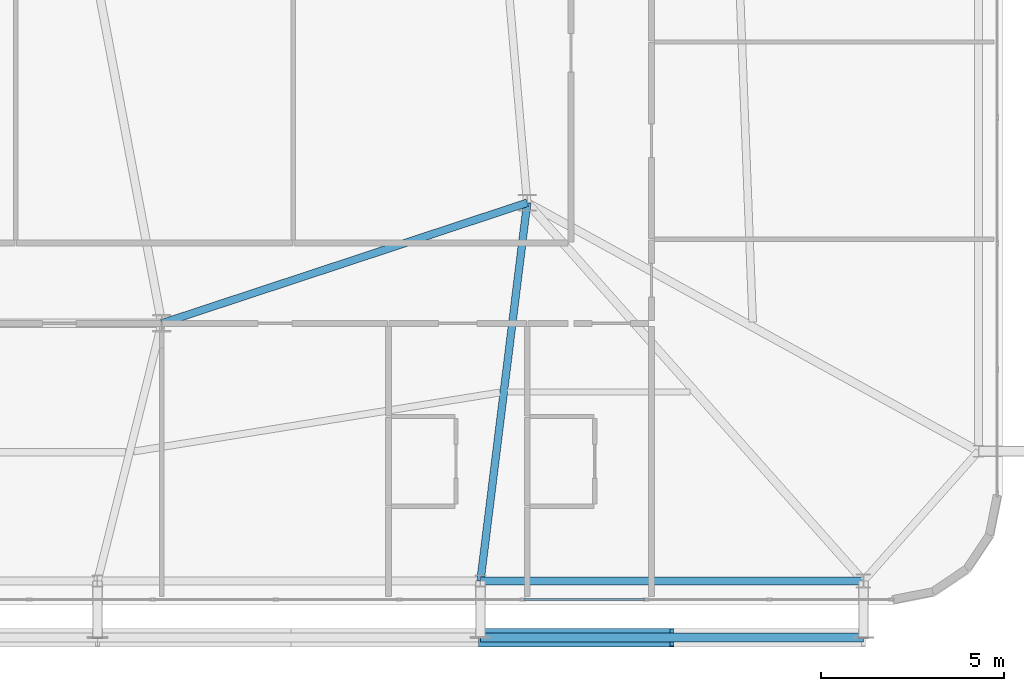
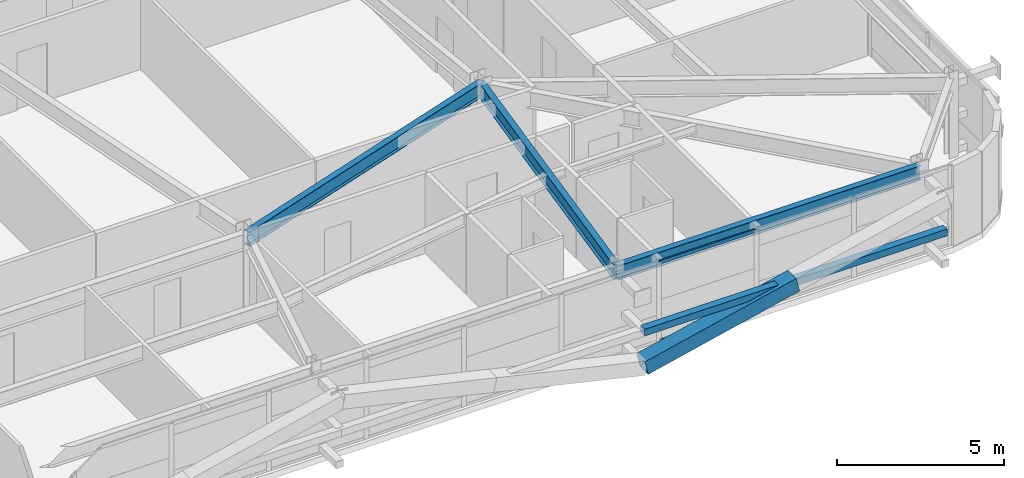
# One storey, part 22 of 58: 4 members, 3 beams, 1 element without a shape of its own.
"""IFC4 building model written with IfcOpenShell, lengths in metres."""

from ifc_helpers import new_model, si_unit, direction, frame, origin, origin_2d, place, context, subcontext, project, spatial, hollow_rectangle, i_section, extrude, source, transform, mapped, material, layer, layer_set, material_profile, profile_set, type_object, element, aggregate, save


model = new_model("IFC4")

# Units and contexts
model_context = context("Model", 3, precision=1e-05, world=origin(), true_north=direction((0.0, 1.0)))
body_context = subcontext(model_context, "Body", "Model", "MODEL_VIEW")
ifc_project = project(units=[si_unit("LENGTHUNIT", "METRE"), si_unit("AREAUNIT", "SQUARE_METRE"), si_unit("VOLUMEUNIT", "CUBIC_METRE"), si_unit("PLANEANGLEUNIT", "RADIAN"), si_unit("MASSUNIT", "GRAM", prefix="KILO")], contexts=[model_context])

# Site, building, storey
site_placement = place(None, origin())
site = spatial("IfcSite", under=ifc_project, at=site_placement, CompositionType="ELEMENT")
building_placement = place(site_placement, origin())
building = spatial("IfcBuilding", under=site, at=building_placement, Name="Taldren Reach Tower", CompositionType="ELEMENT")
storey_placement = place(building_placement, frame((0.0, 0.0, 54.60009765625)))
storey = spatial("IfcBuildingStorey", under=building, at=storey_placement, Name="L16", CompositionType="ELEMENT", Elevation=54.60009765625)

# Beams
ifc_material_1 = material(Name="Steel Gr 350 (350PLUS)", Category="steel")
ifc_material_profile_1 = material_profile(ifc_material_1, i_section(OverallWidth=0.208984375, OverallDepth=0.532958984375, WebThickness=0.01025390625, FlangeThickness=0.015625, at=origin_2d()), Name="530UB92.4")
ifc_profile_set_1 = profile_set([ifc_material_profile_1], Name="Steel Gr 350 (350PLUS)")
beam_type_1 = type_object("IfcBeamType", Name="BM-UB530A", PredefinedType="BEAM", material=ifc_profile_set_1)
shared_shape_1 = source(origin(), body_context, "Body", "SweptSolid", [
    extrude(i_section(OverallWidth=0.208984375, OverallDepth=0.532958984375, WebThickness=0.01025390625, FlangeThickness=0.015625, at=origin_2d()), origin(), (0.0, 0.0, 1.0), 10.530517578125),
])
beam_1_placement = place(storey_placement, frame((42.0, 9.199951171875, 2.663330078125), z_axis=(0.949627269203, 0.313381635689, 0.0), x_axis=(-0.313381635689, 0.949627269203, 0.0)))
element("IfcBeam", 1, at=beam_1_placement, inside=storey, type_object=beam_type_1, Name="Core-spine girder L16-SP12", PredefinedType="BEAM", context=body_context, shape_type="MappedRepresentation", body=[
    mapped(shared_shape_1, transform((0.0, 0.0, 0.0), scale=1.0)),
])
ifc_material_profile_2 = material_profile(ifc_material_1, i_section(OverallWidth=0.208984375, OverallDepth=0.528076171875, WebThickness=0.009521484375, FlangeThickness=0.01318359375, at=origin_2d()), Name="530UB82.0")
ifc_profile_set_2 = profile_set([ifc_material_profile_2], Name="Steel Gr 350 (350PLUS)")
beam_type_2 = type_object("IfcBeamType", Name="SP-UB530B", PredefinedType="SPANDREL", material=ifc_profile_set_2)
shared_shape_2 = source(origin(), body_context, "Body", "SweptSolid", [
    extrude(i_section(OverallWidth=0.208984375, OverallDepth=0.528076171875, WebThickness=0.009521484375, FlangeThickness=0.01318359375, at=origin_2d()), origin(), (0.0, 0.0, 1.0), 10.47998046875),
])
beam_2_placement = place(storey_placement, frame((50.719970703125, 2.14990234375, 2.666015625), z_axis=(1.0, 0.0, 0.0), x_axis=(0.0, 1.0, 0.0)))
element("IfcBeam", 2, at=beam_2_placement, inside=storey, type_object=beam_type_2, Name="Perimeter spandrel B1 S5-S6 L16", PredefinedType="SPANDREL", context=body_context, shape_type="MappedRepresentation", body=[
    mapped(shared_shape_2, transform((0.0, 0.0, 0.0), scale=1.0)),
])
shared_shape_3 = source(origin(), body_context, "Body", "SweptSolid", [
    extrude(i_section(OverallWidth=0.208984375, OverallDepth=0.532958984375, WebThickness=0.01025390625, FlangeThickness=0.015625, at=origin_2d()), origin(), (0.0, 0.0, 1.0), 10.428955078125),
])
beam_3_placement = place(storey_placement, frame((52.0, 12.5, 2.663330078125), z_axis=(-0.122738080664, -0.992439098159, 0.0), x_axis=(0.992439098159, -0.122738080664, 0.0)))
element("IfcBeam", 3, at=beam_3_placement, inside=storey, type_object=beam_type_1, Name="Primary floor girder B1-S5 L16", PredefinedType="BEAM", context=body_context, shape_type="MappedRepresentation", body=[
    mapped(shared_shape_3, transform((0.0, 0.0, 0.0), scale=1.0)),
])

# Members
ifc_material_2 = material(Name="Steel Gr 450 (C450L0)", Category="steel")
ifc_material_profile_3 = material_profile(ifc_material_2, hollow_rectangle(XDim=0.510009765625, YDim=0.510009765625, WallThickness=0.02001953125, at=origin_2d()), Name="510x510x20.0SHS")
ifc_profile_set_3 = profile_set([ifc_material_profile_3], Name="Steel Gr 450 (C450L0)")
member_type_1 = type_object("IfcMemberType", Name="MB-EXO508", PredefinedType="BRACE", material=ifc_profile_set_3)
shared_shape_4 = source(origin(), body_context, "Body", "SweptSolid", [
    extrude(hollow_rectangle(XDim=0.510009765625, YDim=0.510009765625, WallThickness=0.02001953125, at=origin_2d()), origin(), (0.0, 0.0, 1.0), 5.37890625),
])
member_1_placement = place(storey_placement, frame((50.719970703125, 0.60009765625, 0.219970703125), z_axis=(0.974161966843, 0.0, 0.225850531007), x_axis=(0.0, 1.0, 0.0)))
element("IfcMember", 4, at=member_1_placement, inside=storey, type_object=member_type_1, Name="Exoskeleton Diagrid Brace B1-S5 L16", PredefinedType="BRACE", context=body_context, shape_type="MappedRepresentation", body=[
    mapped(shared_shape_4, transform((0.0, 0.0, 0.0), scale=1.0)),
])
ifc_material_3 = material(Name="Steel Gr 350 (C350L0)", Category="steel")
ifc_material_profile_4 = material_profile(ifc_material_3, hollow_rectangle(XDim=0.25, YDim=0.25, WallThickness=0.010009765625, at=origin_2d()), Name="250x250x10.0SHS")
ifc_profile_set_4 = profile_set([ifc_material_profile_4], Name="Steel Gr 350 (C350L0)")
member_type_2 = type_object("IfcMemberType", Name="MB-POST250", PredefinedType="POST", material=ifc_profile_set_4)
shared_shape_5 = source(origin(), body_context, "Body", "SweptSolid", [
    extrude(hollow_rectangle(XDim=0.25, YDim=0.25, WallThickness=0.010009765625, at=origin_2d()), origin(), (0.0, 0.0, 1.0), 10.47998046875),
])
member_2_placement = place(storey_placement, frame((50.719970703125, 0.60009765625, 1.434814453125), z_axis=(1.0, 0.0, 0.0), x_axis=(0.0, 1.0, 0.0)))
element("IfcMember", 5, at=member_2_placement, inside=storey, type_object=member_type_2, Name="Exoskeleton mid-height ring chord B1-S5 L16", PredefinedType="POST", context=body_context, shape_type="MappedRepresentation", body=[
    mapped(shared_shape_5, transform((0.0, 0.0, 0.0), scale=1.0)),
])

# Curtain wall, members
ifc_material_4 = material(Name="Aluminium and Low-E Glass Unitised System", Category="aluminium")
ifc_layer = layer(ifc_material_4, 0.159912109375)
ifc_layer_set = layer_set([ifc_layer], Name="Aluminium and Low-E Glass Unitised System")
curtain_wall_type = type_object("IfcCurtainWallType", Name="CW-SYS-2", PredefinedType="NOTDEFINED", material=ifc_layer_set)
curtain_wall_placement = place(storey_placement, origin())
curtain_wall = element("IfcCurtainWall", 6, at=curtain_wall_placement, inside=storey, type_object=curtain_wall_type, Name="Unitised curtain wall CW-L16-S", PredefinedType="NOTDEFINED")
ifc_material_5 = material(Name="Anodised Aluminium 6063-T6", Category="aluminium")
ifc_material_profile_5 = material_profile(ifc_material_5, hollow_rectangle(XDim=0.054931640625, YDim=0.1201171875, WallThickness=0.0029296875, at=origin_2d()), Name="ALU-120x55x3RHS")
ifc_profile_set_5 = profile_set([ifc_material_profile_5], Name="Anodised Aluminium 6063-T6")
member_type_3 = type_object("IfcMemberType", Name="CW-TRN-135", PredefinedType="USERDEFINED", material=ifc_profile_set_5)
shared_shape_6 = source(origin(), body_context, "Body", "SweptSolid", [
    extrude(hollow_rectangle(XDim=0.054931640625, YDim=0.1201171875, WallThickness=0.0029296875, at=origin_2d()), origin(), (0.0, 0.0, 1.0), 3.31005859375),
])
member_3_placement = place(storey_placement, frame((51.907470703125, 1.639892578125, 0.02734375), z_axis=(1.0, 0.0, 0.0), x_axis=(0.0, 1.0, 0.0)))
member_3 = element("IfcMember", 7, at=member_3_placement, type_object=member_type_3, Name="CW-2 transom 14.1", ObjectType="TRANSOM", PredefinedType="USERDEFINED", context=body_context, shape_type="MappedRepresentation", body=[
    mapped(shared_shape_6, transform((0.0, 0.0, 0.0), scale=1.0)),
])
member_4_placement = place(storey_placement, frame((51.907470703125, 1.639892578125, 2.90234375), z_axis=(1.0, 0.0, 0.0), x_axis=(0.0, 1.0, 0.0)))
member_4 = element("IfcMember", 8, at=member_4_placement, type_object=member_type_3, Name="CW-2 transom 14.2", ObjectType="TRANSOM", PredefinedType="USERDEFINED", context=body_context, shape_type="MappedRepresentation", body=[
    mapped(shared_shape_6, transform((0.0, 0.0, 0.0), scale=1.0)),
])
aggregate(curtain_wall, [member_3, member_4])

save(model, "model.ifc")
